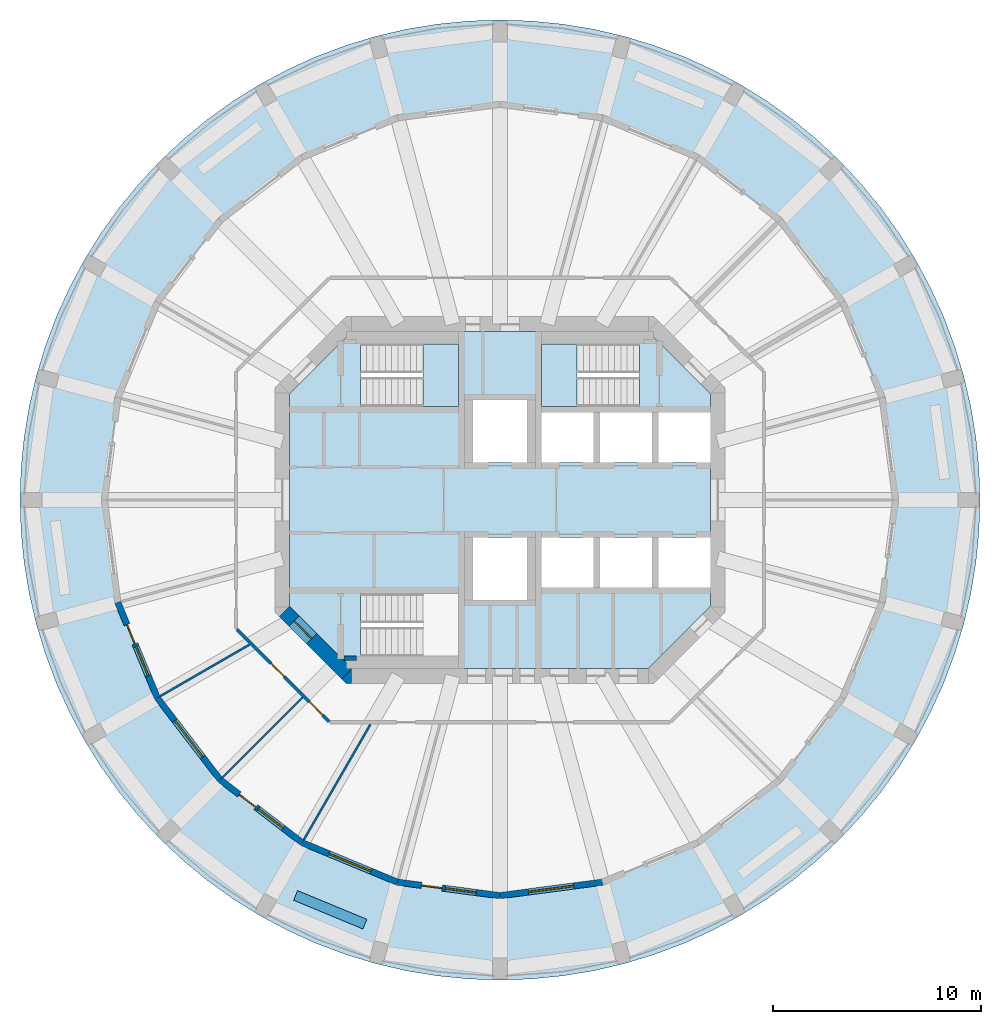
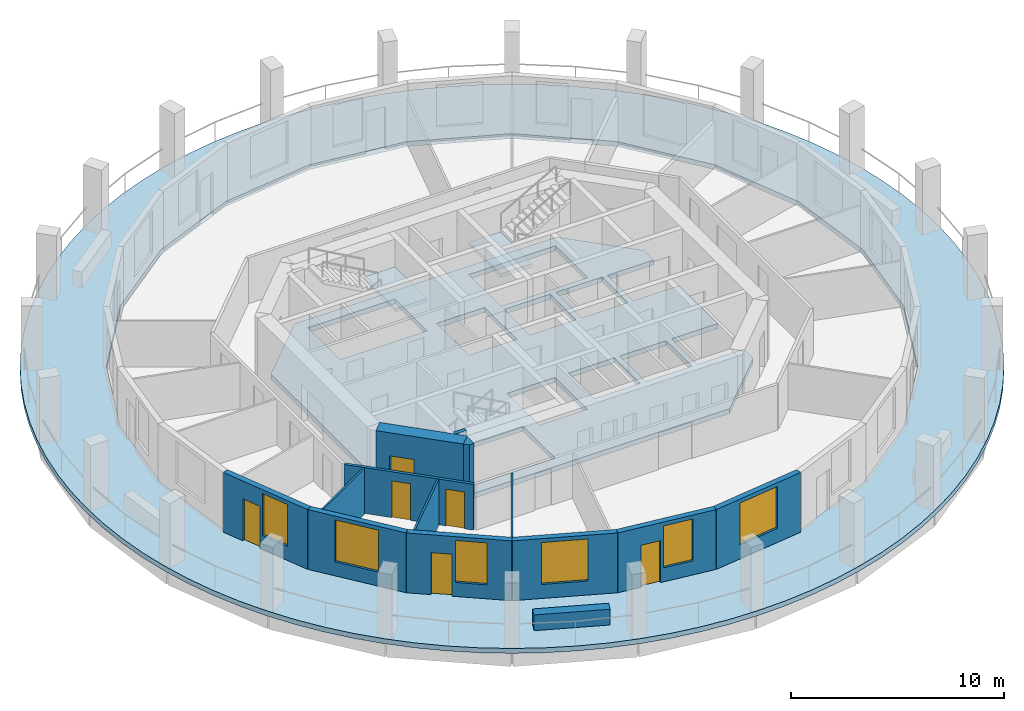
# One storey, part 2 of 9: 14 walls, 6 doors, 6 windows, 4 slabs, 12 openings, 2 elements without a shape of their own.
"""IFC4 building model written with IfcOpenShell, lengths in metres."""

import ifcopenshell
import ifcopenshell.guid

model = None  # the IFC model being written
_history = None  # IfcOwnerHistory: only IFC2X3 demands one
_inside = {}  # id of a spatial element -> (the spatial element, [elements in it])
_under = {}  # id of a project, library or spatial element -> (it, [spatial elements below it])
_declared = {}  # id of a project -> (the project, [libraries it declares])
_typed = {}  # id of a type object -> (the type object, [elements of that type])
_made_of = {}  # id of a material, layer set ... -> (it, [elements and type objects made of it])


def new_model(schema):
    """Start an empty IFC model of exactly this schema.

    Asked for "IFC4X3", IfcOpenShell would pick the latest addendum, in which some entities
    have other attributes; the version numbers below select the first issue.
    IFC2X3 requires an IfcOwnerHistory on every rooted entity: one is made here for all.
    """
    global model, _history
    if schema == "IFC4X3":
        model = ifcopenshell.file(schema_version=(4, 3, 0, 0))
    else:
        model = ifcopenshell.file(schema=schema)
    _inside.clear()
    _under.clear()
    _declared.clear()
    _typed.clear()
    _made_of.clear()
    _history = None
    if model.schema == "IFC2X3":
        org = make("IfcOrganization", Name="unknown")
        user = make(
            "IfcPersonAndOrganization",
            ThePerson=make("IfcPerson", FamilyName="unknown"),
            TheOrganization=org,
        )
        app = make(
            "IfcApplication",
            ApplicationDeveloper=org,
            Version="unknown",
            ApplicationFullName="unknown",
            ApplicationIdentifier="unknown",
        )
        _history = make(
            "IfcOwnerHistory",
            OwningUser=user,
            OwningApplication=app,
            ChangeAction="ADDED",
            CreationDate=0,
        )
    return model


def make(cls, **values):
    """One entity of the class cls with the attributes given. An attribute that is None is left unset."""
    return model.create_entity(
        cls, **{name: value for name, value in values.items() if value is not None}
    )


def rooted(cls, **values):
    """An entity with a GlobalId (a new one), such as an element, a storey or a relation."""
    return make(cls, GlobalId=ifcopenshell.guid.new(), OwnerHistory=_history, **values)


def si_unit(unit_type, name, prefix=None):
    """IfcSIUnit, for example si_unit("LENGTHUNIT", "METRE", prefix="MILLI")."""
    return make("IfcSIUnit", UnitType=unit_type, Prefix=prefix, Name=name)


def assignment(units):
    """IfcUnitAssignment: the units of a project."""
    return None if units is None else make("IfcUnitAssignment", Units=units)


def point(xyz):
    """IfcCartesianPoint."""
    return None if xyz is None else make("IfcCartesianPoint", Coordinates=xyz)


def direction(xyz):
    """IfcDirection."""
    return None if xyz is None else make("IfcDirection", DirectionRatios=xyz)


def frame(location, z_axis=None, x_axis=None):
    """IfcAxis2Placement3D, a coordinate frame: its origin and axes. An axis left out is left unset."""
    return make(
        "IfcAxis2Placement3D",
        Location=point(location),
        Axis=direction(z_axis),
        RefDirection=direction(x_axis),
    )


def frame_2d(location, x_axis=None):
    """IfcAxis2Placement2D, a coordinate frame in the plane: its origin and x axis."""
    return make(
        "IfcAxis2Placement2D", Location=point(location), RefDirection=direction(x_axis)
    )


def origin():
    """The frame at (0, 0, 0) with its axes left unset."""
    return frame((0.0, 0.0, 0.0))


def place(relative_to, where):
    """IfcLocalPlacement: puts the frame where relative to a parent placement (None: the world)."""
    return make(
        "IfcLocalPlacement", PlacementRelTo=relative_to, RelativePlacement=where
    )


def context(
    kind, dimensions, precision=None, world=None, true_north=None, identifier=None
):
    """IfcGeometricRepresentationContext, for example the 3D "Model" context."""
    return make(
        "IfcGeometricRepresentationContext",
        ContextIdentifier=identifier,
        ContextType=kind,
        CoordinateSpaceDimension=dimensions,
        Precision=precision,
        WorldCoordinateSystem=world,
        TrueNorth=true_north,
    )


def subcontext(parent, identifier, kind, view, scale=None):
    """IfcGeometricRepresentationSubContext, for example "Body" below "Model"."""
    return make(
        "IfcGeometricRepresentationSubContext",
        ContextIdentifier=identifier,
        ContextType=kind,
        ParentContext=parent,
        TargetScale=scale,
        TargetView=view,
    )


def project(units=None, contexts=None):
    """IfcProject with its units and contexts."""
    return rooted(
        "IfcProject",
        Name="project",
        RepresentationContexts=contexts,
        UnitsInContext=assignment(units),
    )


def spatial(cls, under=None, at=None, **own):
    """A site, building, storey or space (cls), placed at a placement, below another one or the project."""
    s = rooted(cls, ObjectPlacement=at, **own)
    if under is not None:
        _under.setdefault(under.id(), (under, []))[1].append(s)
    return s


def polyline(points):
    """IfcPolyline through the points."""
    return make("IfcPolyline", Points=[point(p) for p in points])


def profile(cls, at=None, kind="AREA", **sizes):
    """A parametric profile (cls). Its sizes go by their IFC names, for example OverallWidth=200.0."""
    return make(cls, ProfileType=kind, Position=at, **sizes)


def rectangle(**sizes):
    """IfcRectangleProfileDef."""
    return profile("IfcRectangleProfileDef", **sizes)


def outline(outer, holes=None, kind="AREA"):
    """IfcArbitraryClosedProfileDef: a profile drawn as a closed curve; with holes, ...WithVoids."""
    if holes is None:
        return make("IfcArbitraryClosedProfileDef", ProfileType=kind, OuterCurve=outer)
    return make(
        "IfcArbitraryProfileDefWithVoids",
        ProfileType=kind,
        OuterCurve=outer,
        InnerCurves=holes,
    )


def extrude(swept, where, along, depth):
    """IfcExtrudedAreaSolid: the profile swept, set in the frame where, extruded along a direction by depth."""
    return make(
        "IfcExtrudedAreaSolid",
        SweptArea=swept,
        Position=where,
        ExtrudedDirection=direction(along),
        Depth=depth,
    )


def shape(context_of_items, identifier, shape_type, items):
    """IfcShapeRepresentation: the items that make up one representation, for example the "Body"."""
    return make(
        "IfcShapeRepresentation",
        ContextOfItems=context_of_items,
        RepresentationIdentifier=identifier,
        RepresentationType=shape_type,
        Items=items,
    )


def material(Name=None, Category=None):
    """IfcMaterial."""
    return make("IfcMaterial", Name=Name, Category=Category)


def layer(
    of_material, thickness, ventilated=None, Name=None, Category=None, Priority=None
):
    """IfcMaterialLayer: one layer of a wall or slab, of a material (None: an air gap)."""
    return make(
        "IfcMaterialLayer",
        Material=of_material,
        LayerThickness=thickness,
        IsVentilated=ventilated,
        Name=Name,
        Category=Category,
        Priority=Priority,
    )


def layer_set(layers, Name=None):
    """IfcMaterialLayerSet."""
    return make("IfcMaterialLayerSet", MaterialLayers=layers, LayerSetName=Name)


def made_of(thing, what):
    """Note that an element or type object is made of a material, layer set ...; save() writes the relation."""
    if what is not None:
        _made_of.setdefault(what.id(), (what, []))[1].append(thing)
    return thing


def type_object(cls, material=None, **own):
    """A type object (cls), such as IfcWallType, which elements share."""
    return made_of(rooted(cls, **own), material)


def element(
    cls,
    number,
    at=None,
    inside=None,
    cuts=None,
    type_object=None,
    material=None,
    context=None,
    identifier="Body",
    shape_type=None,
    held_by="IfcProductDefinitionShape",
    body=None,
    shapes=None,
    **own,
):
    """One element of the class cls, such as IfcWall. Its Tag is "e" and its number.

    at: its placement. inside: the storey or other place that contains it. cuts: it is an
    opening in that element (IfcRelVoidsElement). A single representation is given by context,
    identifier, shape_type and body (its items); several are given by shapes. held_by: the class
    of the entity that holds the representations. save() writes the other relations.
    """
    e = rooted(cls, Tag="e%d" % number, ObjectPlacement=at, **own)
    if body is not None:
        shapes = [shape(context, identifier, shape_type, body)]
    if shapes is not None:
        e.Representation = make(held_by, Representations=shapes)
    if inside is not None:
        _inside.setdefault(inside.id(), (inside, []))[1].append(e)
    if cuts is not None:
        rooted(
            "IfcRelVoidsElement", RelatingBuildingElement=cuts, RelatedOpeningElement=e
        )
    if type_object is not None:
        _typed.setdefault(type_object.id(), (type_object, []))[1].append(e)
    return made_of(e, material)


def fill(opening, filler):
    """IfcRelFillsElement: the door or window that sits in an opening."""
    return rooted(
        "IfcRelFillsElement",
        RelatingOpeningElement=opening,
        RelatedBuildingElement=filler,
    )


def aggregate(whole, parts):
    """IfcRelAggregates: a whole, such as a stair, and the parts it consists of."""
    return rooted("IfcRelAggregates", RelatingObject=whole, RelatedObjects=parts)


def save(model, path):
    """Write the relations noted so far, then the file.

    IfcRelAggregates (storeys below a building ...), IfcRelContainedInSpatialStructure (elements
    in a storey), IfcRelDefinesByType, IfcRelAssociatesMaterial and IfcRelDeclares: one each for
    every whole, place, type object, material and project.
    """
    for whole, parts in _under.values():
        aggregate(whole, parts)
    for where, things in _inside.values():
        rooted(
            "IfcRelContainedInSpatialStructure",
            RelatedElements=things,
            RelatingStructure=where,
        )
    for kind, things in _typed.values():
        rooted("IfcRelDefinesByType", RelatedObjects=things, RelatingType=kind)
    for what, things in _made_of.values():
        rooted("IfcRelAssociatesMaterial", RelatedObjects=things, RelatingMaterial=what)
    for by, libraries in _declared.values():
        rooted("IfcRelDeclares", RelatingContext=by, RelatedDefinitions=libraries)
    model.write(path)


model = new_model("IFC4")

# Units and contexts
model_context = context("Model", 3, precision=1e-05, world=origin(), true_north=direction((0.0, 1.0)))
body_context = subcontext(model_context, "Body", "Model", "MODEL_VIEW")
ifc_project = project(units=[si_unit("LENGTHUNIT", "METRE"), si_unit("AREAUNIT", "SQUARE_METRE"), si_unit("VOLUMEUNIT", "CUBIC_METRE"), si_unit("PLANEANGLEUNIT", "RADIAN"), si_unit("MASSUNIT", "GRAM", prefix="KILO")], contexts=[model_context])

# Site, building, storey
site_placement = place(None, origin())
site = spatial("IfcSite", under=ifc_project, at=site_placement, CompositionType="ELEMENT")
building_placement = place(site_placement, origin())
building = spatial("IfcBuilding", under=site, at=building_placement, Name="Torre Triforio", CompositionType="ELEMENT")
storey_placement = place(building_placement, frame((0.0, 0.0, 169.0)))
storey = spatial("IfcBuildingStorey", under=building, at=storey_placement, Name="L38", CompositionType="ELEMENT", Elevation=169.0)

# Slabs
ifc_material_1 = material(Name="Concrete C50", Category="concrete")
ifc_layer_1 = layer(ifc_material_1, 0.280029296875)
ifc_layer_set_1 = layer_set([ifc_layer_1], Name="Concrete C50")
slab_type_1 = type_object("IfcSlabType", Name="Core floor slab 280 mm C50 REI 120", PredefinedType="FLOOR", material=ifc_layer_set_1)
slab_1_placement = place(storey_placement, frame((0.0, 0.0, -0.280029296875)))
element("IfcSlab", 1, at=slab_1_placement, inside=storey, type_object=slab_type_1, Name="Core floor slab", PredefinedType="FLOOR", context=body_context, shape_type="SweptSolid", body=[
    extrude(outline(polyline([(10.10009765625, -5.10009765625), (7.10009765625, -8.10009765625), (-7.10009765625, -8.10009765625), (-10.10009765625, -5.10009765625), (-10.10009765625, 5.10009765625), (-7.10009765625, 8.10009765625), (7.10009765625, 8.10009765625), (10.10009765625, 5.10009765625), (10.10009765625, 4.199951171875), (7.60009765625, 4.199951171875), (7.60009765625, 1.800048828125), (10.10009765625, 1.800048828125), (10.10009765625, -1.800048828125), (7.60009765625, -1.800048828125), (7.60009765625, -4.199951171875), (10.10009765625, -4.199951171875), (10.10009765625, -5.10009765625)]), holes=[polyline([(-6.696044921875, -4.5), (-6.696044921875, -7.5), (-2.0, -7.5), (-2.0, -4.5), (-6.696044921875, -4.5)]), polyline([(-1.300048828125, -1.800048828125), (-1.300048828125, -4.800048828125), (1.300048828125, -4.800048828125), (1.300048828125, -1.800048828125), (-1.300048828125, -1.800048828125)]), polyline([(2.0, -1.800048828125), (2.0, -4.199951171875), (4.5, -4.199951171875), (4.5, -1.800048828125), (2.0, -1.800048828125)]), polyline([(4.5, 4.199951171875), (2.0, 4.199951171875), (2.0, 1.800048828125), (4.5, 1.800048828125), (4.5, 4.199951171875)]), polyline([(1.300048828125, 4.800048828125), (-1.300048828125, 4.800048828125), (-1.300048828125, 1.800048828125), (1.300048828125, 1.800048828125), (1.300048828125, 4.800048828125)]), polyline([(-6.696044921875, 7.5), (-6.696044921875, 4.5), (-2.0, 4.5), (-2.0, 7.5), (-6.696044921875, 7.5)]), polyline([(7.300048828125, -1.800048828125), (4.800048828125, -1.800048828125), (4.800048828125, -4.199951171875), (7.300048828125, -4.199951171875), (7.300048828125, -1.800048828125)]), polyline([(4.800048828125, 4.199951171875), (4.800048828125, 1.800048828125), (7.300048828125, 1.800048828125), (7.300048828125, 4.199951171875), (4.800048828125, 4.199951171875)]), polyline([(6.696044921875, 7.5), (2.0, 7.5), (2.0, 4.5), (6.696044921875, 4.5), (6.696044921875, 7.5)])]), origin(), (0.0, 0.0, 1.0), 0.280029296875),
])
ifc_material_2 = material(Name="Concrete C40", Category="concrete")
ifc_layer_2 = layer(ifc_material_2, 0.280029296875)
ifc_layer_set_2 = layer_set([ifc_layer_2], Name="Concrete C40")
slab_type_2 = type_object("IfcSlabType", Name="Loggia slab 280 C40", PredefinedType="FLOOR", material=ifc_layer_set_2)
slab_2_placement = place(storey_placement, frame((0.0, 0.0, -0.280029296875)))
element("IfcSlab", 2, at=slab_2_placement, inside=storey, type_object=slab_type_2, Name="SL.L38.LG", PredefinedType="FLOOR", context=body_context, shape_type="SweptSolid", body=[
    extrude(outline(polyline([(23.000732421875, -1.507568359375), (23.050048828125, 0.0), (23.000732421875, 1.507568359375), (22.852783203125, 3.008544921875), (22.607177734375, 4.496826171875), (22.2646484375, 5.9658203125), (21.82666015625, 7.4091796875), (21.29541015625, 8.82080078125), (20.6728515625, 10.19482421875), (19.9619140625, 11.52490234375), (19.165283203125, 12.805908203125), (18.286865234375, 14.031982421875), (17.329833984375, 15.197998046875), (16.298828125, 16.298828125), (15.197998046875, 17.329833984375), (14.031982421875, 18.286865234375), (12.805908203125, 19.165283203125), (11.52490234375, 19.9619140625), (10.19482421875, 20.6728515625), (8.82080078125, 21.29541015625), (7.4091796875, 21.82666015625), (5.9658203125, 22.2646484375), (4.496826171875, 22.607177734375), (3.008544921875, 22.852783203125), (1.507568359375, 23.000732421875), (0.0, 23.050048828125), (-1.507568359375, 23.000732421875), (-3.008544921875, 22.852783203125), (-4.496826171875, 22.607177734375), (-5.9658203125, 22.2646484375), (-7.4091796875, 21.82666015625), (-8.82080078125, 21.29541015625), (-10.19482421875, 20.6728515625), (-11.52490234375, 19.9619140625), (-12.805908203125, 19.165283203125), (-14.031982421875, 18.286865234375), (-15.197998046875, 17.329833984375), (-16.298828125, 16.298828125), (-17.329833984375, 15.197998046875), (-18.286865234375, 14.031982421875), (-19.165283203125, 12.805908203125), (-19.9619140625, 11.52490234375), (-20.6728515625, 10.19482421875), (-21.29541015625, 8.82080078125), (-21.82666015625, 7.4091796875), (-22.2646484375, 5.9658203125), (-22.607177734375, 4.496826171875), (-22.852783203125, 3.008544921875), (-23.000732421875, 1.507568359375), (-23.050048828125, 0.0), (-23.000732421875, -1.507568359375), (-22.852783203125, -3.008544921875), (-22.607177734375, -4.496826171875), (-22.2646484375, -5.9658203125), (-21.82666015625, -7.4091796875), (-21.29541015625, -8.82080078125), (-20.6728515625, -10.19482421875), (-19.9619140625, -11.52490234375), (-19.165283203125, -12.805908203125), (-18.286865234375, -14.031982421875), (-17.329833984375, -15.197998046875), (-16.298828125, -16.298828125), (-15.197998046875, -17.329833984375), (-14.031982421875, -18.286865234375), (-12.805908203125, -19.165283203125), (-11.52490234375, -19.9619140625), (-10.19482421875, -20.6728515625), (-8.82080078125, -21.29541015625), (-7.4091796875, -21.82666015625), (-5.9658203125, -22.2646484375), (-4.496826171875, -22.607177734375), (-3.008544921875, -22.852783203125), (-1.507568359375, -23.000732421875), (0.0, -23.050048828125), (1.507568359375, -23.000732421875), (3.008544921875, -22.852783203125), (4.496826171875, -22.607177734375), (5.9658203125, -22.2646484375), (7.4091796875, -21.82666015625), (8.82080078125, -21.29541015625), (10.19482421875, -20.6728515625), (11.52490234375, -19.9619140625), (12.805908203125, -19.165283203125), (14.031982421875, -18.286865234375), (15.197998046875, -17.329833984375), (16.298828125, -16.298828125), (17.329833984375, -15.197998046875), (18.286865234375, -14.031982421875), (19.165283203125, -12.805908203125), (19.9619140625, -11.52490234375), (20.6728515625, -10.19482421875), (21.29541015625, -8.82080078125), (21.82666015625, -7.4091796875), (22.2646484375, -5.9658203125), (22.607177734375, -4.496826171875), (22.852783203125, -3.008544921875), (23.000732421875, -1.507568359375)]), holes=[polyline([(18.3525390625, 4.91748046875), (19.0, 0.0), (18.3525390625, -4.91748046875), (16.45458984375, -9.5), (13.43505859375, -13.43505859375), (9.5, -16.45458984375), (4.91748046875, -18.3525390625), (0.0, -19.0), (-4.91748046875, -18.3525390625), (-9.5, -16.45458984375), (-13.43505859375, -13.43505859375), (-16.45458984375, -9.5), (-18.3525390625, -4.91748046875), (-19.0, 0.0), (-18.3525390625, 4.91748046875), (-16.45458984375, 9.5), (-13.43505859375, 13.43505859375), (-9.5, 16.45458984375), (-4.91748046875, 18.3525390625), (0.0, 19.0), (4.91748046875, 18.3525390625), (9.5, 16.45458984375), (13.43505859375, 13.43505859375), (16.45458984375, 9.5), (18.3525390625, 4.91748046875)])]), origin(), (0.0, 0.0, 1.0), 0.280029296875),
])

# Stair, slab
stair_type = type_object("IfcStairType", Name="STAIR HALF-TURN", PredefinedType="HALF_TURN_STAIR", material=ifc_material_2)
stair_1_placement = place(storey_placement, origin())
stair_1 = element("IfcStair", 3, at=stair_1_placement, inside=storey, type_object=stair_type, Name="Exit stair 1", PredefinedType="HALF_TURN_STAIR")
ifc_layer_3 = layer(ifc_material_2, 0.199951171875)
ifc_layer_set_3 = layer_set([ifc_layer_3], Name="Concrete C40")
slab_type_3 = type_object("IfcSlabType", Name="STAIR LANDING 200", PredefinedType="LANDING", material=ifc_layer_set_3)
slab_3_placement = place(storey_placement, frame((0.0, 0.0, 1.64990234375)))
slab_3 = element("IfcSlab", 4, at=slab_3_placement, type_object=slab_type_3, Name="ST1 landing 1", PredefinedType="LANDING", context=body_context, shape_type="SweptSolid", body=[
    extrude(outline(polyline([(-2.0, 4.5), (-2.0, 7.5), (-3.699951171875, 7.5), (-3.699951171875, 4.5), (-2.0, 4.5)])), origin(), (0.0, 0.0, 1.0), 0.2001953125),
])
aggregate(stair_1, [slab_3])

stair_2_placement = place(storey_placement, origin())
stair_2 = element("IfcStair", 5, at=stair_2_placement, inside=storey, type_object=stair_type, Name="Exit stair 2", PredefinedType="HALF_TURN_STAIR")
slab_4_placement = place(storey_placement, frame((0.0, 0.0, 1.64990234375)))
slab_4 = element("IfcSlab", 6, at=slab_4_placement, type_object=slab_type_3, Name="ST2 landing 1", PredefinedType="LANDING", context=body_context, shape_type="SweptSolid", body=[
    extrude(outline(polyline([(3.699951171875, 4.5), (3.699951171875, 7.5), (2.0, 7.5), (2.0, 4.5), (3.699951171875, 4.5)])), origin(), (0.0, 0.0, 1.0), 0.2001953125),
])
aggregate(stair_2, [slab_4])

# Wall, opening, door
ifc_layer_4 = layer(ifc_material_1, 0.699951171875)
ifc_layer_set_4 = layer_set([ifc_layer_4], Name="Concrete C50")
wall_type_1 = type_object("IfcWallType", Name="Core wall 700 mm C50 EI 120", PredefinedType="SHEAR", material=ifc_layer_set_4)
wall_1_placement = place(storey_placement, frame((-7.347412109375, -8.347412109375, -0.280029296875), z_axis=(0.0, 0.0, 1.0), x_axis=(-0.707106781187, 0.707106781187, 0.0)))
wall_1 = element("IfcWall", 7, at=wall_1_placement, inside=storey, type_object=wall_type_1, Name="Core wall", PredefinedType="SHEAR", context=body_context, shape_type="SweptSolid", body=[
    extrude(rectangle(XDim=4.24267578125, YDim=0.699951171875, at=frame_2d((2.121337890625, 0.0))), origin(), (0.0, 0.0, 1.0), 3.699951171875),
])
opening_1_placement = place(wall_1_placement, frame((2.392578125, 0.0, 0.280029296875)))
opening_1 = element("IfcOpeningElement", 8, at=opening_1_placement, cuts=wall_1, Name="Opening ST3-EXIT", PredefinedType="OPENING", context=body_context, shape_type="SweptSolid", body=[
    extrude(rectangle(XDim=1.199951171875, YDim=2.10009765625, at=frame_2d((0.60009765625, 1.050048828125))), frame((0.0, 0.35986328125, 0.0), z_axis=(0.0, -1.0, 0.0), x_axis=(1.0, 0.0, 0.0)), (0.0, 0.0, 1.0), 0.719970703125),
])
ifc_material_3 = material(Name="Hollow metal fire door leaf")
door_type_1 = type_object("IfcDoorType", Name="Stair lobby door 1200 x 2100 EI 60", OperationType="NOTDEFINED", PredefinedType="DOOR", material=ifc_material_3)
door_1_placement = place(opening_1_placement, origin())
door_1 = element("IfcDoor", 9, at=door_1_placement, inside=storey, type_object=door_type_1, Name="Core door ST3-EXIT", OperationType="SINGLE_SWING_RIGHT", OverallHeight=2.10009765625, OverallWidth=1.199951171875, PredefinedType="DOOR", context=body_context, shape_type="SweptSolid", body=[
    extrude(rectangle(XDim=1.199951171875, YDim=2.10009765625, at=frame_2d((0.60009765625, 1.050048828125))), frame((0.0, 0.02490234375, 0.0), z_axis=(0.0, -1.0, 0.0), x_axis=(1.0, 0.0, 0.0)), (0.0, 0.0, 1.0), 0.050048828125),
])
fill(opening_1, door_1)

# Wall
wall_2_placement = place(storey_placement, frame((0.0, 0.0, -0.280029296875)))
element("IfcWall", 10, at=wall_2_placement, inside=storey, type_object=wall_type_1, Name="Core wall", PredefinedType="SHEAR", context=body_context, shape_type="SweptSolid", body=[
    extrude(outline(polyline([(-7.389892578125, -8.800048828125), (-7.594970703125, -8.594970703125), (-7.594970703125, -8.594970703125), (-7.594970703125, -8.594970703125), (-7.1298828125, -8.1298828125), (-7.1298828125, -8.800048828125), (-7.1298828125, -8.800048828125), (-7.389892578125, -8.800048828125)])), origin(), (0.0, 0.0, 1.0), 3.699951171875),
])

# Wall, openings, doors
ifc_material_4 = material(Name="Plasterboard on metal studs")
ifc_layer_5 = layer(ifc_material_4, 0.14990234375)
ifc_layer_set_5 = layer_set([ifc_layer_5], Name="Plasterboard on metal studs")
wall_type_2 = type_object("IfcWallType", Name="Corridor and tenancy wall 150 mm EI 60", PredefinedType="PARTITIONING", material=ifc_layer_set_5)
wall_3_placement = place(storey_placement, frame((-8.20361328125, -10.637939453125, 0.0), z_axis=(0.0, 0.0, 1.0), x_axis=(-0.707106781187, 0.707106781187, 0.0)))
wall_3 = element("IfcWall", 11, at=wall_3_placement, inside=storey, type_object=wall_type_2, Name="Partition 3", PredefinedType="PARTITIONING", context=body_context, shape_type="SweptSolid", body=[
    extrude(rectangle(XDim=6.27099609375, YDim=0.14990234375, at=frame_2d((3.135498046875, 0.0))), origin(), (0.0, 0.0, 1.0), 2.6201171875),
])
opening_2_placement = place(wall_3_placement, frame((3.056884765625, 0.0, 0.0)))
opening_2 = element("IfcOpeningElement", 12, at=opening_2_placement, cuts=wall_3, Name="Opening O2-06", PredefinedType="OPENING", context=body_context, shape_type="SweptSolid", body=[
    extrude(rectangle(XDim=0.89990234375, YDim=2.10009765625, at=frame_2d((0.449951171875, 1.050048828125))), frame((0.0, 0.0849609375, 0.0), z_axis=(0.0, -1.0, 0.0), x_axis=(1.0, 0.0, 0.0)), (0.0, 0.0, 1.0), 0.169921875),
])
opening_3_placement = place(wall_3_placement, frame((0.435546875, 0.0, 0.0)))
opening_3 = element("IfcOpeningElement", 13, at=opening_3_placement, cuts=wall_3, Name="Opening O2-07", PredefinedType="OPENING", context=body_context, shape_type="SweptSolid", body=[
    extrude(rectangle(XDim=0.89990234375, YDim=2.10009765625, at=frame_2d((0.449951171875, 1.050048828125))), frame((0.0, 0.0849609375, 0.0), z_axis=(0.0, -1.0, 0.0), x_axis=(1.0, 0.0, 0.0)), (0.0, 0.0, 1.0), 0.169921875),
])
ifc_material_5 = material(Name="Timber", Category="wood")
door_type_2 = type_object("IfcDoorType", Name="Door 900 x 2100 single leaf EI 30", OperationType="NOTDEFINED", PredefinedType="DOOR", material=ifc_material_5)
door_2_placement = place(opening_2_placement, origin())
door_2 = element("IfcDoor", 14, at=door_2_placement, inside=storey, type_object=door_type_2, Name="Door O2-06", OperationType="SINGLE_SWING_LEFT", OverallHeight=2.10009765625, OverallWidth=0.89990234375, PredefinedType="DOOR", context=body_context, shape_type="SweptSolid", body=[
    extrude(rectangle(XDim=0.89990234375, YDim=2.10009765625, at=frame_2d((0.449951171875, 1.050048828125))), frame((0.0, 0.02490234375, 0.0), z_axis=(0.0, -1.0, 0.0), x_axis=(1.0, 0.0, 0.0)), (0.0, 0.0, 1.0), 0.050048828125),
])
fill(opening_2, door_2)
door_3_placement = place(opening_3_placement, origin())
door_3 = element("IfcDoor", 15, at=door_3_placement, inside=storey, type_object=door_type_2, Name="Door O2-07", OperationType="SINGLE_SWING_LEFT", OverallHeight=2.10009765625, OverallWidth=0.89990234375, PredefinedType="DOOR", context=body_context, shape_type="SweptSolid", body=[
    extrude(rectangle(XDim=0.89990234375, YDim=2.10009765625, at=frame_2d((0.449951171875, 1.050048828125))), frame((0.0, 0.02490234375, 0.0), z_axis=(0.0, -1.0, 0.0), x_axis=(1.0, 0.0, 0.0)), (0.0, 0.0, 1.0), 0.050048828125),
])
fill(opening_3, door_3)

# Walls
ifc_layer_6 = layer(ifc_material_4, 0.10009765625)
ifc_layer_set_6 = layer_set([ifc_layer_6], Name="Plasterboard on metal studs")
wall_type_3 = type_object("IfcWallType", Name="Partition 100 mm board on metal studs", PredefinedType="PARTITIONING", material=ifc_layer_set_6)
wall_4_placement = place(storey_placement, frame((-12.025146484375, -6.94287109375, 0.0), z_axis=(0.0, 0.0, 1.0), x_axis=(-0.866025463095, -0.499999897272, 0.0)))
element("IfcWall", 16, at=wall_4_placement, inside=storey, type_object=wall_type_3, Name="Partition 21", PredefinedType="PARTITIONING", context=body_context, shape_type="SweptSolid", body=[
    extrude(rectangle(XDim=4.951171875, YDim=0.10009765625, at=frame_2d((2.4755859375, 0.0))), origin(), (0.0, 0.0, 1.0), 2.6201171875),
])
wall_5_placement = place(storey_placement, frame((-9.473876953125, -9.473876953125, 0.0), z_axis=(0.0, 0.0, 1.0), x_axis=(-0.707106781187, -0.707106781187, 0.0)))
element("IfcWall", 17, at=wall_5_placement, inside=storey, type_object=wall_type_3, Name="Partition 22", PredefinedType="PARTITIONING", context=body_context, shape_type="SweptSolid", body=[
    extrude(rectangle(XDim=5.438720703125, YDim=0.10009765625, at=frame_2d((2.71923828125, 0.0))), origin(), (0.0, 0.0, 1.0), 2.6201171875),
])
wall_6_placement = place(storey_placement, frame((-6.220703125, -10.774658203125, 0.0), z_axis=(0.0, 0.0, 1.0), x_axis=(-0.500023166934, -0.866012027936, 0.0)))
element("IfcWall", 18, at=wall_6_placement, inside=storey, type_object=wall_type_3, Name="Partition 23", PredefinedType="PARTITIONING", context=body_context, shape_type="SweptSolid", body=[
    extrude(rectangle(XDim=6.395263671875, YDim=0.10009765625, at=frame_2d((3.19775390625, 0.0))), origin(), (0.0, 0.0, 1.0), 2.6201171875),
])
ifc_material_6 = material(Name="Limestone cladding", Category="masonry")
ifc_layer_7 = layer(ifc_material_6, 0.10009765625)
ifc_layer_8 = layer(ifc_material_2, 0.39990234375)
ifc_layer_set_7 = layer_set([ifc_layer_7, ifc_layer_8], Name="Limestone cladding / Concrete C40")
wall_type_4 = type_object("IfcWallType", Name="Planter wall 500", PredefinedType="PARAPET", material=ifc_layer_set_7)
wall_7_placement = place(storey_placement, frame((-9.814208984375, -18.98974609375, 0.0), z_axis=(0.0, 0.0, 1.0), x_axis=(0.923875488976, -0.382693194178, 0.0)))
element("IfcWall", 19, at=wall_7_placement, inside=storey, type_object=wall_type_4, Name="Planter L38 bay 17", PredefinedType="PARAPET", context=body_context, shape_type="SweptSolid", body=[
    extrude(rectangle(XDim=3.599853515625, YDim=0.5, at=frame_2d((1.7998046875, 0.0))), origin(), (0.0, 0.0, 1.0), 0.89990234375),
])
ifc_layer_9 = layer(ifc_material_1, 0.199951171875)
ifc_layer_set_8 = layer_set([ifc_layer_9], Name="Concrete C50")
wall_type_5 = type_object("IfcWallType", Name="Stair wall 200 mm C50 EI 120", PredefinedType="SHEAR", material=ifc_layer_set_8)
wall_8_placement = place(storey_placement, frame((-7.5, -7.60009765625, 0.0), z_axis=(0.0, 0.0, 1.0), x_axis=(1.0, 0.0, 0.0)))
element("IfcWall", 20, at=wall_8_placement, inside=storey, type_object=wall_type_5, Name="Stair wall", PredefinedType="SHEAR", context=body_context, shape_type="SweptSolid", body=[
    extrude(rectangle(XDim=0.60009765625, YDim=0.199951171875, at=frame_2d((0.300048828125, 0.0))), origin(), (0.0, 0.0, 1.0), 3.419921875),
])

# Wall, openings, door, window
ifc_layer_10 = layer(ifc_material_6, 0.10009765625)
ifc_layer_11 = layer(ifc_material_2, 0.199951171875)
ifc_layer_set_9 = layer_set([ifc_layer_10, ifc_layer_11], Name="Limestone cladding / Concrete C40")
wall_type_6 = type_object("IfcWallType", Name="Stone-faced composite wall 300", PredefinedType="STANDARD", material=ifc_layer_set_9)
wall_9_placement = place(storey_placement, frame((-18.3525390625, -4.91748046875, 0.0), z_axis=(0.0, 0.0, 1.0), x_axis=(0.382650301762, -0.923893254961, 0.0)))
wall_9 = element("IfcWall", 21, at=wall_9_placement, inside=storey, type_object=wall_type_6, Name="External wall L38 bay 14", PredefinedType="STANDARD", context=body_context, shape_type="SweptSolid", body=[
    extrude(rectangle(XDim=4.9599609375, YDim=0.300048828125, at=frame_2d((2.47998046875, 0.0))), origin(), (0.0, 0.0, 1.0), 3.419921875),
])
opening_4_placement = place(wall_9_placement, frame((1.155029296875, 0.0, 0.0)))
opening_4 = element("IfcOpeningElement", 22, at=opening_4_placement, cuts=wall_9, Name="Opening O2-D14", PredefinedType="OPENING", context=body_context, shape_type="SweptSolid", body=[
    extrude(rectangle(XDim=1.0, YDim=2.39990234375, at=frame_2d((0.5, 1.199951171875))), frame((0.0, 0.159912109375, 0.0), z_axis=(0.0, -1.0, 0.0), x_axis=(1.0, 0.0, 0.0)), (0.0, 0.0, 1.0), 0.320068359375),
])
opening_5_placement = place(wall_9_placement, frame((2.304931640625, 0.0, 0.800048828125)))
opening_5 = element("IfcOpeningElement", 23, at=opening_5_placement, cuts=wall_9, Name="Opening O2-W14A", PredefinedType="OPENING", context=body_context, shape_type="SweptSolid", body=[
    extrude(rectangle(XDim=1.5, YDim=2.39990234375, at=frame_2d((0.75, 1.199951171875))), frame((0.0, 0.159912109375, 0.0), z_axis=(0.0, -1.0, 0.0), x_axis=(1.0, 0.0, 0.0)), (0.0, 0.0, 1.0), 0.320068359375),
])
ifc_material_7 = material(Name="Aluminium frame with clear double glazing", Category="aluminium")
door_type_3 = type_object("IfcDoorType", Name="Loggia door 1000 x 2400", OperationType="NOTDEFINED", PredefinedType="DOOR", material=ifc_material_7)
door_4_placement = place(opening_4_placement, origin())
door_4 = element("IfcDoor", 24, at=door_4_placement, inside=storey, type_object=door_type_3, Name="Loggia door L38 bay 14", OperationType="SINGLE_SWING_LEFT", OverallHeight=2.39990234375, OverallWidth=1.0, PredefinedType="DOOR", context=body_context, shape_type="SweptSolid", body=[
    extrude(rectangle(XDim=1.0, YDim=2.39990234375, at=frame_2d((0.5, 1.199951171875))), frame((0.0, 0.02490234375, 0.0), z_axis=(0.0, -1.0, 0.0), x_axis=(1.0, 0.0, 0.0)), (0.0, 0.0, 1.0), 0.050048828125),
])
fill(opening_4, door_4)
window_type_1 = type_object("IfcWindowType", Name="Side window 1500 x 2400", PartitioningType="SINGLE_PANEL", PredefinedType="WINDOW", material=ifc_material_7)
window_1_placement = place(opening_5_placement, origin())
window_1 = element("IfcWindow", 25, at=window_1_placement, inside=storey, type_object=window_type_1, Name="Side window EWN14 L38 bay 14", OverallHeight=2.39990234375, OverallWidth=1.5, PartitioningType="SINGLE_PANEL", PredefinedType="WINDOW", context=body_context, shape_type="SweptSolid", body=[
    extrude(rectangle(XDim=1.5, YDim=2.39990234375, at=frame_2d((0.75, 1.199951171875))), frame((0.0, 0.030029296875, 0.0), z_axis=(0.0, -1.0, 0.0), x_axis=(1.0, 0.0, 0.0)), (0.0, 0.0, 1.0), 0.06005859375),
])
fill(opening_5, window_1)

# Wall, opening, window
wall_10_placement = place(storey_placement, frame((-16.45458984375, -9.5, 0.0), z_axis=(0.0, 0.0, 1.0), x_axis=(0.608768356425, -0.793348024649, 0.0)))
wall_10 = element("IfcWall", 26, at=wall_10_placement, inside=storey, type_object=wall_type_6, Name="External wall L38 bay 15", PredefinedType="STANDARD", context=body_context, shape_type="SweptSolid", body=[
    extrude(rectangle(XDim=4.9599609375, YDim=0.300048828125, at=frame_2d((2.47998046875, 0.0))), origin(), (0.0, 0.0, 1.0), 3.419921875),
])
opening_6_placement = place(wall_10_placement, frame((1.3798828125, 0.0, 0.800048828125)))
opening_6 = element("IfcOpeningElement", 27, at=opening_6_placement, cuts=wall_10, Name="Opening O2-W15", PredefinedType="OPENING", context=body_context, shape_type="SweptSolid", body=[
    extrude(rectangle(XDim=2.199951171875, YDim=2.39990234375, at=frame_2d((1.10009765625, 1.199951171875))), frame((0.0, 0.159912109375, 0.0), z_axis=(0.0, -1.0, 0.0), x_axis=(1.0, 0.0, 0.0)), (0.0, 0.0, 1.0), 0.320068359375),
])
window_type_2 = type_object("IfcWindowType", Name="Punched window 2200 x 2400", PartitioningType="DOUBLE_PANEL_VERTICAL", PredefinedType="WINDOW", material=ifc_material_7)
window_2_placement = place(opening_6_placement, origin())
window_2 = element("IfcWindow", 28, at=window_2_placement, inside=storey, type_object=window_type_2, Name="Window EWN5 L38 bay 15", OverallHeight=2.39990234375, OverallWidth=2.199951171875, PartitioningType="SINGLE_PANEL", PredefinedType="WINDOW", context=body_context, shape_type="SweptSolid", body=[
    extrude(rectangle(XDim=2.199951171875, YDim=2.39990234375, at=frame_2d((1.10009765625, 1.199951171875))), frame((0.0, 0.030029296875, 0.0), z_axis=(0.0, -1.0, 0.0), x_axis=(1.0, 0.0, 0.0)), (0.0, 0.0, 1.0), 0.06005859375),
])
fill(opening_6, window_2)

# Wall, openings, door, window
wall_11_placement = place(storey_placement, frame((-13.43505859375, -13.43505859375, 0.0), z_axis=(0.0, 0.0, 1.0), x_axis=(0.793348024649, -0.608768356425, 0.0)))
wall_11 = element("IfcWall", 29, at=wall_11_placement, inside=storey, type_object=wall_type_6, Name="External wall L38 bay 16", PredefinedType="STANDARD", context=body_context, shape_type="SweptSolid", body=[
    extrude(rectangle(XDim=4.9599609375, YDim=0.300048828125, at=frame_2d((2.47998046875, 0.0))), origin(), (0.0, 0.0, 1.0), 3.419921875),
])
opening_7_placement = place(wall_11_placement, frame((1.155029296875, 0.0, 0.0)))
opening_7 = element("IfcOpeningElement", 30, at=opening_7_placement, cuts=wall_11, Name="Opening O2-D16", PredefinedType="OPENING", context=body_context, shape_type="SweptSolid", body=[
    extrude(rectangle(XDim=1.0, YDim=2.39990234375, at=frame_2d((0.5, 1.199951171875))), frame((0.0, 0.159912109375, 0.0), z_axis=(0.0, -1.0, 0.0), x_axis=(1.0, 0.0, 0.0)), (0.0, 0.0, 1.0), 0.320068359375),
])
opening_8_placement = place(wall_11_placement, frame((2.304931640625, 0.0, 0.800048828125)))
opening_8 = element("IfcOpeningElement", 31, at=opening_8_placement, cuts=wall_11, Name="Opening O2-W16A", PredefinedType="OPENING", context=body_context, shape_type="SweptSolid", body=[
    extrude(rectangle(XDim=1.5, YDim=2.39990234375, at=frame_2d((0.75, 1.199951171875))), frame((0.0, 0.159912109375, 0.0), z_axis=(0.0, -1.0, 0.0), x_axis=(1.0, 0.0, 0.0)), (0.0, 0.0, 1.0), 0.320068359375),
])
door_5_placement = place(opening_7_placement, origin())
door_5 = element("IfcDoor", 32, at=door_5_placement, inside=storey, type_object=door_type_3, Name="Loggia door L38 bay 16", OperationType="SINGLE_SWING_LEFT", OverallHeight=2.39990234375, OverallWidth=1.0, PredefinedType="DOOR", context=body_context, shape_type="SweptSolid", body=[
    extrude(rectangle(XDim=1.0, YDim=2.39990234375, at=frame_2d((0.5, 1.199951171875))), frame((0.0, 0.02490234375, 0.0), z_axis=(0.0, -1.0, 0.0), x_axis=(1.0, 0.0, 0.0)), (0.0, 0.0, 1.0), 0.050048828125),
])
fill(opening_7, door_5)
window_3_placement = place(opening_8_placement, origin())
window_3 = element("IfcWindow", 33, at=window_3_placement, inside=storey, type_object=window_type_1, Name="Side window EWN14 L38 bay 16", OverallHeight=2.39990234375, OverallWidth=1.5, PartitioningType="SINGLE_PANEL", PredefinedType="WINDOW", context=body_context, shape_type="SweptSolid", body=[
    extrude(rectangle(XDim=1.5, YDim=2.39990234375, at=frame_2d((0.75, 1.199951171875))), frame((0.0, 0.030029296875, 0.0), z_axis=(0.0, -1.0, 0.0), x_axis=(1.0, 0.0, 0.0)), (0.0, 0.0, 1.0), 0.06005859375),
])
fill(opening_8, window_3)

# Wall, opening, window
wall_12_placement = place(storey_placement, frame((-9.5, -16.45458984375, 0.0), z_axis=(0.0, 0.0, 1.0), x_axis=(0.923893254961, -0.382650301762, 0.0)))
wall_12 = element("IfcWall", 34, at=wall_12_placement, inside=storey, type_object=wall_type_6, Name="External wall L38 bay 17", PredefinedType="STANDARD", context=body_context, shape_type="SweptSolid", body=[
    extrude(rectangle(XDim=4.9599609375, YDim=0.300048828125, at=frame_2d((2.47998046875, 0.0))), origin(), (0.0, 0.0, 1.0), 3.419921875),
])
opening_9_placement = place(wall_12_placement, frame((1.3798828125, 0.0, 0.800048828125)))
opening_9 = element("IfcOpeningElement", 35, at=opening_9_placement, cuts=wall_12, Name="Opening O2-W17", PredefinedType="OPENING", context=body_context, shape_type="SweptSolid", body=[
    extrude(rectangle(XDim=2.199951171875, YDim=2.39990234375, at=frame_2d((1.10009765625, 1.199951171875))), frame((0.0, 0.159912109375, 0.0), z_axis=(0.0, -1.0, 0.0), x_axis=(1.0, 0.0, 0.0)), (0.0, 0.0, 1.0), 0.320068359375),
])
window_4_placement = place(opening_9_placement, origin())
window_4 = element("IfcWindow", 36, at=window_4_placement, inside=storey, type_object=window_type_2, Name="Window EWN5 L38 bay 17", OverallHeight=2.39990234375, OverallWidth=2.199951171875, PartitioningType="SINGLE_PANEL", PredefinedType="WINDOW", context=body_context, shape_type="SweptSolid", body=[
    extrude(rectangle(XDim=2.199951171875, YDim=2.39990234375, at=frame_2d((1.10009765625, 1.199951171875))), frame((0.0, 0.030029296875, 0.0), z_axis=(0.0, -1.0, 0.0), x_axis=(1.0, 0.0, 0.0)), (0.0, 0.0, 1.0), 0.06005859375),
])
fill(opening_9, window_4)

# Wall, openings, door, window
wall_13_placement = place(storey_placement, frame((-4.91748046875, -18.3525390625, 0.0), z_axis=(0.0, 0.0, 1.0), x_axis=(0.991443234469, -0.130538549191, 0.0)))
wall_13 = element("IfcWall", 37, at=wall_13_placement, inside=storey, type_object=wall_type_6, Name="External wall L38 bay 18", PredefinedType="STANDARD", context=body_context, shape_type="SweptSolid", body=[
    extrude(rectangle(XDim=4.9599609375, YDim=0.300048828125, at=frame_2d((2.47998046875, 0.0))), origin(), (0.0, 0.0, 1.0), 3.419921875),
])
opening_10_placement = place(wall_13_placement, frame((1.155029296875, 0.0, 0.0)))
opening_10 = element("IfcOpeningElement", 38, at=opening_10_placement, cuts=wall_13, Name="Opening O2-D18", PredefinedType="OPENING", context=body_context, shape_type="SweptSolid", body=[
    extrude(rectangle(XDim=1.0, YDim=2.39990234375, at=frame_2d((0.5, 1.199951171875))), frame((0.0, 0.159912109375, 0.0), z_axis=(0.0, -1.0, 0.0), x_axis=(1.0, 0.0, 0.0)), (0.0, 0.0, 1.0), 0.320068359375),
])
opening_11_placement = place(wall_13_placement, frame((2.304931640625, 0.0, 0.800048828125)))
opening_11 = element("IfcOpeningElement", 39, at=opening_11_placement, cuts=wall_13, Name="Opening O2-W18A", PredefinedType="OPENING", context=body_context, shape_type="SweptSolid", body=[
    extrude(rectangle(XDim=1.5, YDim=2.39990234375, at=frame_2d((0.75, 1.199951171875))), frame((0.0, 0.159912109375, 0.0), z_axis=(0.0, -1.0, 0.0), x_axis=(1.0, 0.0, 0.0)), (0.0, 0.0, 1.0), 0.320068359375),
])
door_6_placement = place(opening_10_placement, origin())
door_6 = element("IfcDoor", 40, at=door_6_placement, inside=storey, type_object=door_type_3, Name="Loggia door L38 bay 18", OperationType="SINGLE_SWING_LEFT", OverallHeight=2.39990234375, OverallWidth=1.0, PredefinedType="DOOR", context=body_context, shape_type="SweptSolid", body=[
    extrude(rectangle(XDim=1.0, YDim=2.39990234375, at=frame_2d((0.5, 1.199951171875))), frame((0.0, 0.02490234375, 0.0), z_axis=(0.0, -1.0, 0.0), x_axis=(1.0, 0.0, 0.0)), (0.0, 0.0, 1.0), 0.050048828125),
])
fill(opening_10, door_6)
window_5_placement = place(opening_11_placement, origin())
window_5 = element("IfcWindow", 41, at=window_5_placement, inside=storey, type_object=window_type_1, Name="Side window EWN14 L38 bay 18", OverallHeight=2.39990234375, OverallWidth=1.5, PartitioningType="SINGLE_PANEL", PredefinedType="WINDOW", context=body_context, shape_type="SweptSolid", body=[
    extrude(rectangle(XDim=1.5, YDim=2.39990234375, at=frame_2d((0.75, 1.199951171875))), frame((0.0, 0.030029296875, 0.0), z_axis=(0.0, -1.0, 0.0), x_axis=(1.0, 0.0, 0.0)), (0.0, 0.0, 1.0), 0.06005859375),
])
fill(opening_11, window_5)

# Wall, opening, window
wall_14_placement = place(storey_placement, frame((0.0, -19.0, 0.0), z_axis=(0.0, 0.0, 1.0), x_axis=(0.991443234469, 0.130538549191, 0.0)))
wall_14 = element("IfcWall", 42, at=wall_14_placement, inside=storey, type_object=wall_type_6, Name="External wall L38 bay 19", PredefinedType="STANDARD", context=body_context, shape_type="SweptSolid", body=[
    extrude(rectangle(XDim=4.9599609375, YDim=0.300048828125, at=frame_2d((2.47998046875, 0.0))), origin(), (0.0, 0.0, 1.0), 3.419921875),
])
opening_12_placement = place(wall_14_placement, frame((1.3798828125, 0.0, 0.800048828125)))
opening_12 = element("IfcOpeningElement", 43, at=opening_12_placement, cuts=wall_14, Name="Opening O2-W19", PredefinedType="OPENING", context=body_context, shape_type="SweptSolid", body=[
    extrude(rectangle(XDim=2.199951171875, YDim=2.39990234375, at=frame_2d((1.10009765625, 1.199951171875))), frame((0.0, 0.159912109375, 0.0), z_axis=(0.0, -1.0, 0.0), x_axis=(1.0, 0.0, 0.0)), (0.0, 0.0, 1.0), 0.320068359375),
])
window_6_placement = place(opening_12_placement, origin())
window_6 = element("IfcWindow", 44, at=window_6_placement, inside=storey, type_object=window_type_2, Name="Window EWN5 L38 bay 19", OverallHeight=2.39990234375, OverallWidth=2.199951171875, PartitioningType="SINGLE_PANEL", PredefinedType="WINDOW", context=body_context, shape_type="SweptSolid", body=[
    extrude(rectangle(XDim=2.199951171875, YDim=2.39990234375, at=frame_2d((1.10009765625, 1.199951171875))), frame((0.0, 0.030029296875, 0.0), z_axis=(0.0, -1.0, 0.0), x_axis=(1.0, 0.0, 0.0)), (0.0, 0.0, 1.0), 0.06005859375),
])
fill(opening_12, window_6)

save(model, "model.ifc")
